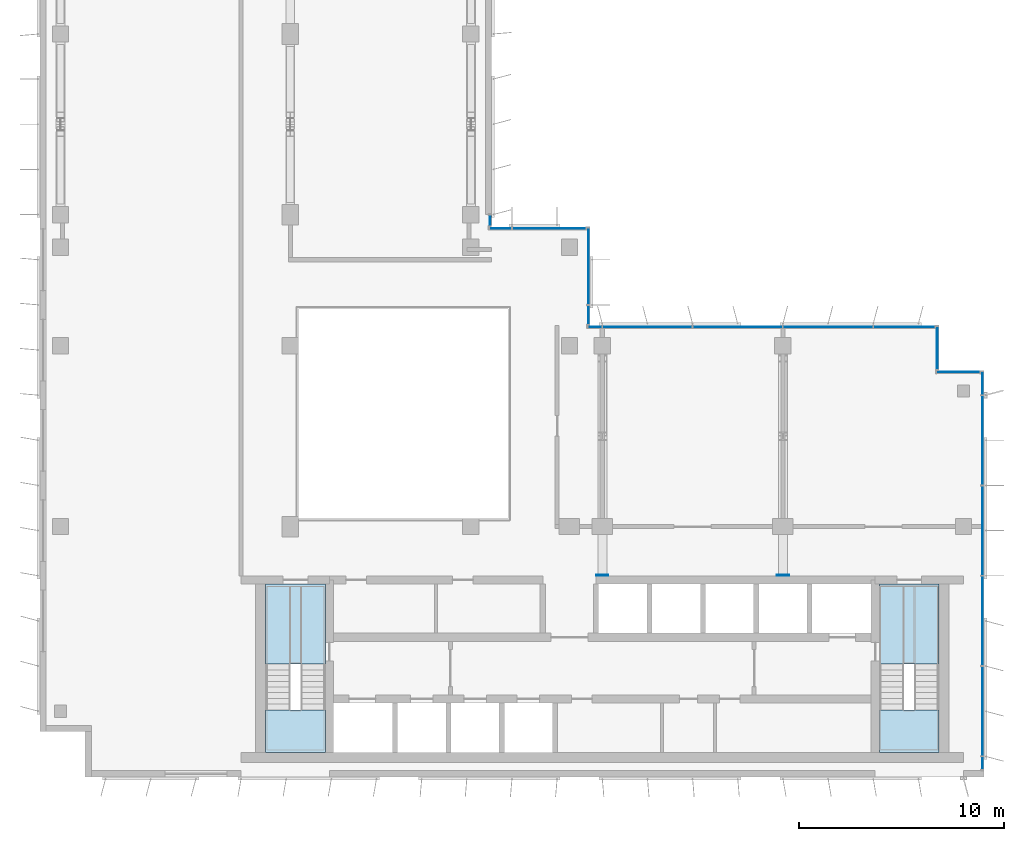
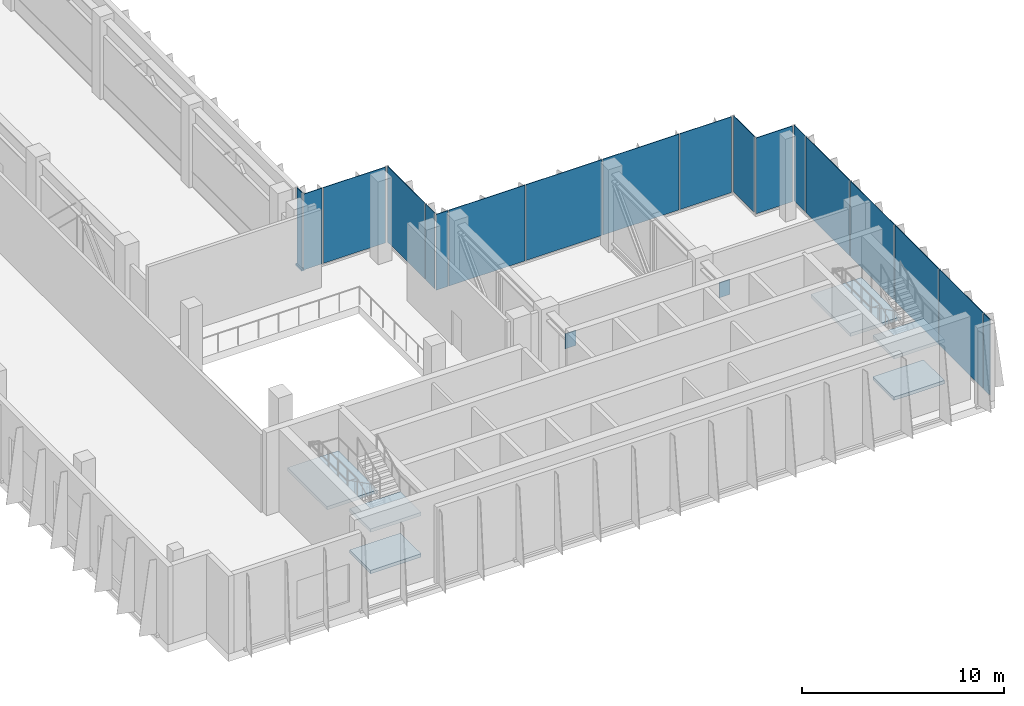
# One storey, part 6 of 13: 20 plates, 6 slabs, 1 member, 9 elements without a shape of their own.
"""IFC4 building model written with IfcOpenShell, lengths in metres."""

from ifc_helpers import new_model, si_unit, direction, frame, origin, origin_2d, place, context, subcontext, project, spatial, polyline, rectangle, outline, extrude, source, transform, mapped, material, layer, layer_set, material_profile, profile_set, type_object, element, aggregate, save


model = new_model("IFC4")

# Units and contexts
model_context = context("Model", 3, precision=1e-05, world=origin(), true_north=direction((0.0, 1.0)))
body_context = subcontext(model_context, "Body", "Model", "MODEL_VIEW")
ifc_project = project(units=[si_unit("LENGTHUNIT", "METRE"), si_unit("AREAUNIT", "SQUARE_METRE"), si_unit("VOLUMEUNIT", "CUBIC_METRE"), si_unit("PLANEANGLEUNIT", "RADIAN"), si_unit("MASSUNIT", "GRAM", prefix="KILO")], contexts=[model_context])

# Site, building, storey
site_placement = place(None, origin())
site = spatial("IfcSite", under=ifc_project, at=site_placement, CompositionType="ELEMENT")
building_placement = place(site_placement, origin())
building = spatial("IfcBuilding", under=site, at=building_placement, Name="Kemantara Hotel Tower", CompositionType="ELEMENT")
storey_placement = place(building_placement, frame((0.0, 0.0, 256.10009765625)))
storey = spatial("IfcBuildingStorey", under=building, at=storey_placement, Name="L64", CompositionType="ELEMENT", Elevation=256.10009765625)

# Curtain wall, member
ifc_material_1 = material(Name="Low-E tinted double insulated glass 36 mm", Category="glass")
curtain_wall_type = type_object("IfcCurtainWallType", Name="TOWER CURTAIN WALL, FRONT FACES", PredefinedType="USERDEFINED", material=ifc_material_1)
curtain_wall_1_placement = place(storey_placement, origin())
curtain_wall_1 = element("IfcCurtainWall", 1, at=curtain_wall_1_placement, inside=storey, type_object=curtain_wall_type, Name="CW4 L64 T4-R15-1", ObjectType="TOWER CURTAIN WALL, FRONT FACES", PredefinedType="USERDEFINED")
ifc_material_2 = material(Name="Aluminium 6063-T6 bronze anodised", Category="aluminium")
ifc_material_profile = material_profile(ifc_material_2, rectangle(XDim=0.14990234375, YDim=0.1201171875, at=origin_2d()), Name="TOWER CURTAIN WALL, FRONT FACES TRANSOM")
ifc_profile_set = profile_set([ifc_material_profile], Name="Aluminium 6063-T6 bronze anodised")
member_type = type_object("IfcMemberType", Name="TOWER CURTAIN WALL, FRONT FACES TRANSOM", PredefinedType="USERDEFINED", material=ifc_profile_set)
member_placement = place(storey_placement, frame((21.925048828125, 26.800048828125, 0.059814453125), z_axis=(0.0, 1.0, 0.0), x_axis=(-1.0, 0.0, 0.0)))
member = element("IfcMember", 2, at=member_placement, type_object=member_type, Name="CW4 sill transom T4-R15-1", ObjectType="TRANSOM", PredefinedType="USERDEFINED", context=body_context, shape_type="SweptSolid", body=[
    extrude(rectangle(XDim=0.14990234375, YDim=0.1201171875, at=origin_2d()), origin(), (0.0, 0.0, 1.0), 0.599853515625),
])

# Stair, slabs
ifc_material_3 = material(Name="Concrete fc 40 MPa", Category="concrete")
stair_type = type_object("IfcStairType", Name="Stair 1200 wide 36 risers of 139 x 280 mm", PredefinedType="HALF_TURN_STAIR", material=ifc_material_3)
stair_1_placement = place(storey_placement, origin())
stair_1 = element("IfcStair", 3, at=stair_1_placement, inside=storey, type_object=stair_type, Name="L64 Exit stair ST1", PredefinedType="HALF_TURN_STAIR")
ifc_layer_1 = layer(ifc_material_3, 0.199951171875)
ifc_layer_set_1 = layer_set([ifc_layer_1], Name="Concrete fc 40 MPa")
slab_type = type_object("IfcSlabType", Name="Stair landing 200 mm", PredefinedType="LANDING", material=ifc_layer_set_1)
slab_1_placement = place(storey_placement, frame((0.0, 0.0, 1.0498046875)))
slab_1 = element("IfcSlab", 4, at=slab_1_placement, type_object=slab_type, Name="ST1 landing 1", PredefinedType="LANDING", context=body_context, shape_type="SweptSolid", body=[
    extrude(outline(polyline([(11.0, 3.260009765625), (11.0, 1.199951171875), (13.89990234375, 1.199951171875), (13.89990234375, 3.260009765625), (11.0, 3.260009765625)])), origin(), (0.0, 0.0, 1.0), 0.2001953125),
])
slab_2_placement = place(storey_placement, frame((0.0, 0.0, 2.2998046875)))
slab_2 = element("IfcSlab", 5, at=slab_2_placement, type_object=slab_type, Name="ST1 landing 2", PredefinedType="LANDING", context=body_context, shape_type="SweptSolid", body=[
    extrude(outline(polyline([(11.0, 9.39990234375), (11.0, 5.5), (13.89990234375, 5.5), (13.89990234375, 9.39990234375), (11.0, 9.39990234375)])), origin(), (0.0, 0.0, 1.0), 0.2001953125),
])
slab_3_placement = place(storey_placement, frame((0.0, 0.0, 3.5498046875)))
slab_3 = element("IfcSlab", 6, at=slab_3_placement, type_object=slab_type, Name="ST1 landing 3", PredefinedType="LANDING", context=body_context, shape_type="SweptSolid", body=[
    extrude(outline(polyline([(11.0, 3.260009765625), (11.0, 1.199951171875), (13.89990234375, 1.199951171875), (13.89990234375, 3.260009765625), (11.0, 3.260009765625)])), origin(), (0.0, 0.0, 1.0), 0.2001953125),
])
aggregate(stair_1, [slab_1, slab_2, slab_3])

stair_2_placement = place(storey_placement, origin())
stair_2 = element("IfcStair", 7, at=stair_2_placement, inside=storey, type_object=stair_type, Name="L64 Exit stair ST2", PredefinedType="HALF_TURN_STAIR")
slab_4_placement = place(storey_placement, frame((0.0, 0.0, 1.0498046875)))
slab_4 = element("IfcSlab", 8, at=slab_4_placement, type_object=slab_type, Name="ST2 landing 1", PredefinedType="LANDING", context=body_context, shape_type="SweptSolid", body=[
    extrude(outline(polyline([(40.89990234375, 3.260009765625), (40.89990234375, 1.199951171875), (43.800048828125, 1.199951171875), (43.800048828125, 3.260009765625), (40.89990234375, 3.260009765625)])), origin(), (0.0, 0.0, 1.0), 0.2001953125),
])
slab_5_placement = place(storey_placement, frame((0.0, 0.0, 2.2998046875)))
slab_5 = element("IfcSlab", 9, at=slab_5_placement, type_object=slab_type, Name="ST2 landing 2", PredefinedType="LANDING", context=body_context, shape_type="SweptSolid", body=[
    extrude(outline(polyline([(40.89990234375, 9.39990234375), (40.89990234375, 5.5), (43.800048828125, 5.5), (43.800048828125, 9.39990234375), (40.89990234375, 9.39990234375)])), origin(), (0.0, 0.0, 1.0), 0.2001953125),
])
slab_6_placement = place(storey_placement, frame((0.0, 0.0, 3.5498046875)))
slab_6 = element("IfcSlab", 10, at=slab_6_placement, type_object=slab_type, Name="ST2 landing 3", PredefinedType="LANDING", context=body_context, shape_type="SweptSolid", body=[
    extrude(outline(polyline([(40.89990234375, 3.260009765625), (40.89990234375, 1.199951171875), (43.800048828125, 1.199951171875), (43.800048828125, 3.260009765625), (40.89990234375, 3.260009765625)])), origin(), (0.0, 0.0, 1.0), 0.2001953125),
])
aggregate(stair_2, [slab_4, slab_5, slab_6])

# Plates
ifc_material_4 = material(Name="Steel ASTM A572 Grade 50", Category="steel")
ifc_layer_2 = layer(ifc_material_4, 0.0400390625)
ifc_layer_set_2 = layer_set([ifc_layer_2], Name="Steel ASTM A572 Grade 50")
plate_type_1 = type_object("IfcPlateType", Name="STEEL PLATE 40", PredefinedType="SHEET", material=ifc_layer_set_2)
shared_shape_1 = source(origin(), body_context, "Body", "SweptSolid", [
    extrude(rectangle(XDim=0.60009765625, YDim=0.0400390625, at=origin_2d()), origin(), (0.0, 0.0, 1.0), 0.9130859375),
])
for number, where, z_axis, x_axis, name in (
    (11, (27.39990234375, 9.820068359375, 3.786865234375), (0.0, 0.0, 1.0), (1.0, 0.0, 0.0), "Cast-in plate CP-OR64-1 40"),
    (12, (36.199951171875, 9.820068359375, 3.786865234375), (0.0, 0.0, 1.0), (1.0, 0.0, 0.0), "Cast-in plate CP-OR64-2 40"),
):
    element("IfcPlate", number, at=place(storey_placement, frame(where, z_axis=z_axis, x_axis=x_axis)), inside=storey, type_object=plate_type_1, Name=name, PredefinedType="SHEET", context=body_context, shape_type="MappedRepresentation", body=[
        mapped(shared_shape_1, transform((0.0, 0.0, 0.0))),
    ])

# Curtain wall, plates
curtain_wall_2_placement = place(storey_placement, origin())
curtain_wall_2 = element("IfcCurtainWall", 13, at=curtain_wall_2_placement, inside=storey, type_object=curtain_wall_type, Name="CW4 L64 T4-R09-1", ObjectType="TOWER CURTAIN WALL, FRONT FACES", PredefinedType="USERDEFINED")
ifc_layer_3 = layer(ifc_material_1, 0.035888671875)
ifc_layer_set_3 = layer_set([ifc_layer_3], Name="Low-E tinted double insulated glass 36 mm")
plate_type_2 = type_object("IfcPlateType", Name="TOWER CURTAIN WALL, FRONT FACES PANEL", PredefinedType="CURTAIN_PANEL", material=ifc_layer_set_3)
shared_shape_2 = source(origin(), body_context, "Body", "SweptSolid", [
    extrude(rectangle(XDim=4.340087890625, YDim=0.035888671875, at=origin_2d()), origin(), (0.0, 0.0, 1.0), 4.580078125),
])
plate_1_placement = place(storey_placement, frame((45.925048828125, 3.199951171875, 0.119873046875), z_axis=(0.0, 0.0, 1.0), x_axis=(0.0, 1.0, 0.0)))
plate_1 = element("IfcPlate", 14, at=plate_1_placement, type_object=plate_type_2, Name="CW4 glass panel T4-R09-1.2", PredefinedType="CURTAIN_PANEL", context=body_context, shape_type="MappedRepresentation", body=[
    mapped(shared_shape_2, transform((0.0, 0.0, 0.0))),
])
plate_2_placement = place(storey_placement, frame((45.925048828125, 7.60009765625, 0.119873046875), z_axis=(0.0, 0.0, 1.0), x_axis=(0.0, 1.0, 0.0)))
plate_2 = element("IfcPlate", 15, at=plate_2_placement, type_object=plate_type_2, Name="CW4 glass panel T4-R09-1.3", PredefinedType="CURTAIN_PANEL", context=body_context, shape_type="MappedRepresentation", body=[
    mapped(shared_shape_2, transform((0.0, 0.0, 0.0))),
])
plate_3_placement = place(storey_placement, frame((45.925048828125, 12.0, 0.119873046875), z_axis=(0.0, 0.0, 1.0), x_axis=(0.0, 1.0, 0.0)))
plate_3 = element("IfcPlate", 16, at=plate_3_placement, type_object=plate_type_2, Name="CW4 glass panel T4-R09-1.4", PredefinedType="CURTAIN_PANEL", context=body_context, shape_type="MappedRepresentation", body=[
    mapped(shared_shape_2, transform((0.0, 0.0, 0.0))),
])
plate_4_placement = place(storey_placement, frame((45.925048828125, 16.39990234375, 0.119873046875), z_axis=(0.0, 0.0, 1.0), x_axis=(0.0, 1.0, 0.0)))
plate_4 = element("IfcPlate", 17, at=plate_4_placement, type_object=plate_type_2, Name="CW4 glass panel T4-R09-1.5", PredefinedType="CURTAIN_PANEL", context=body_context, shape_type="MappedRepresentation", body=[
    mapped(shared_shape_2, transform((0.0, 0.0, 0.0))),
])

curtain_wall_3_placement = place(storey_placement, origin())
curtain_wall_3 = element("IfcCurtainWall", 18, at=curtain_wall_3_placement, inside=storey, type_object=curtain_wall_type, Name="CW4 L64 T4-R12-1", ObjectType="TOWER CURTAIN WALL, FRONT FACES", PredefinedType="USERDEFINED")
plate_5_placement = place(storey_placement, frame((38.39990234375, 21.925048828125, 0.119873046875), z_axis=(0.0, 0.0, 1.0), x_axis=(-1.0, 0.0, 0.0)))
plate_5 = element("IfcPlate", 19, at=plate_5_placement, type_object=plate_type_2, Name="CW4 glass panel T4-R12-1.2", PredefinedType="CURTAIN_PANEL", context=body_context, shape_type="MappedRepresentation", body=[
    mapped(shared_shape_2, transform((0.0, 0.0, 0.0))),
])
plate_6_placement = place(storey_placement, frame((34.0, 21.925048828125, 0.119873046875), z_axis=(0.0, 0.0, 1.0), x_axis=(-1.0, 0.0, 0.0)))
plate_6 = element("IfcPlate", 20, at=plate_6_placement, type_object=plate_type_2, Name="CW4 glass panel T4-R12-1.3", PredefinedType="CURTAIN_PANEL", context=body_context, shape_type="MappedRepresentation", body=[
    mapped(shared_shape_2, transform((0.0, 0.0, 0.0))),
])
plate_7_placement = place(storey_placement, frame((29.60009765625, 21.925048828125, 0.119873046875), z_axis=(0.0, 0.0, 1.0), x_axis=(-1.0, 0.0, 0.0)))
plate_7 = element("IfcPlate", 21, at=plate_7_placement, type_object=plate_type_2, Name="CW4 glass panel T4-R12-1.4", PredefinedType="CURTAIN_PANEL", context=body_context, shape_type="MappedRepresentation", body=[
    mapped(shared_shape_2, transform((0.0, 0.0, 0.0))),
])
shared_shape_3 = source(origin(), body_context, "Body", "SweptSolid", [
    extrude(rectangle(XDim=2.9599609375, YDim=0.035888671875, at=origin_2d()), origin(), (0.0, 0.0, 1.0), 4.580078125),
])
plate_8_placement = place(storey_placement, frame((42.110107421875, 21.925048828125, 0.119873046875), z_axis=(0.0, 0.0, 1.0), x_axis=(-1.0, 0.0, 0.0)))
plate_8 = element("IfcPlate", 22, at=plate_8_placement, type_object=plate_type_2, Name="CW4 glass panel T4-R12-1.1", PredefinedType="CURTAIN_PANEL", context=body_context, shape_type="MappedRepresentation", body=[
    mapped(shared_shape_3, transform((0.0, 0.0, 0.0))),
])
shared_shape_4 = source(origin(), body_context, "Body", "SweptSolid", [
    extrude(rectangle(XDim=0.659912109375, YDim=0.035888671875, at=origin_2d()), origin(), (0.0, 0.0, 1.0), 4.580078125),
])
plate_9_placement = place(storey_placement, frame((27.0400390625, 21.925048828125, 0.119873046875), z_axis=(0.0, 0.0, 1.0), x_axis=(-1.0, 0.0, 0.0)))
plate_9 = element("IfcPlate", 23, at=plate_9_placement, type_object=plate_type_2, Name="CW4 glass panel T4-R12-1.5", PredefinedType="CURTAIN_PANEL", context=body_context, shape_type="MappedRepresentation", body=[
    mapped(shared_shape_4, transform((0.0, 0.0, 0.0))),
])
aggregate(curtain_wall_3, [plate_8, plate_5, plate_6, plate_7, plate_9])

# Plate
shared_shape_5 = source(origin(), body_context, "Body", "SweptSolid", [
    extrude(rectangle(XDim=0.510009765625, YDim=0.035888671875, at=origin_2d()), origin(), (0.0, 0.0, 1.0), 4.580078125),
])
plate_10_placement = place(storey_placement, frame((21.925048828125, 27.114990234375, 0.119873046875), z_axis=(0.0, 0.0, 1.0), x_axis=(0.0, 1.0, 0.0)))
plate_10 = element("IfcPlate", 24, at=plate_10_placement, type_object=plate_type_2, Name="CW4 glass panel T4-R15-1.1", PredefinedType="CURTAIN_PANEL", context=body_context, shape_type="MappedRepresentation", body=[
    mapped(shared_shape_5, transform((0.0, 0.0, 0.0))),
])

aggregate(curtain_wall_1, [member, plate_10])

# Curtain wall, plate
curtain_wall_4_placement = place(storey_placement, origin())
curtain_wall_4 = element("IfcCurtainWall", 25, at=curtain_wall_4_placement, inside=storey, type_object=curtain_wall_type, Name="CW4 L64 T4-R10-1", ObjectType="TOWER CURTAIN WALL, FRONT FACES", PredefinedType="USERDEFINED")
shared_shape_6 = source(origin(), body_context, "Body", "SweptSolid", [
    extrude(rectangle(XDim=2.080078125, YDim=0.035888671875, at=origin_2d()), origin(), (0.0, 0.0, 1.0), 4.580078125),
])
plate_11_placement = place(storey_placement, frame((44.75, 19.72509765625, 0.119873046875), z_axis=(0.0, 0.0, 1.0), x_axis=(-1.0, 0.0, 0.0)))
plate_11 = element("IfcPlate", 26, at=plate_11_placement, type_object=plate_type_2, Name="CW4 glass panel T4-R10-1.1", PredefinedType="CURTAIN_PANEL", context=body_context, shape_type="MappedRepresentation", body=[
    mapped(shared_shape_6, transform((0.0, 0.0, 0.0))),
])
aggregate(curtain_wall_4, [plate_11])

curtain_wall_5_placement = place(storey_placement, origin())
curtain_wall_5 = element("IfcCurtainWall", 27, at=curtain_wall_5_placement, inside=storey, type_object=curtain_wall_type, Name="CW4 L64 T4-R11-1", ObjectType="TOWER CURTAIN WALL, FRONT FACES", PredefinedType="USERDEFINED")
plate_12_placement = place(storey_placement, frame((43.72509765625, 20.89990234375, 0.119873046875), z_axis=(0.0, 0.0, 1.0), x_axis=(0.0, 1.0, 0.0)))
plate_12 = element("IfcPlate", 28, at=plate_12_placement, type_object=plate_type_2, Name="CW4 glass panel T4-R11-1.1", PredefinedType="CURTAIN_PANEL", context=body_context, shape_type="MappedRepresentation", body=[
    mapped(shared_shape_6, transform((0.0, 0.0, 0.0))),
])
aggregate(curtain_wall_5, [plate_12])

# Plate
shared_shape_7 = source(origin(), body_context, "Body", "SweptSolid", [
    extrude(rectangle(XDim=1.110107421875, YDim=0.035888671875, at=origin_2d()), origin(), (0.0, 0.0, 1.0), 4.580078125),
])
plate_13_placement = place(storey_placement, frame((45.925048828125, 19.18505859375, 0.119873046875), z_axis=(0.0, 0.0, 1.0), x_axis=(0.0, 1.0, 0.0)))
plate_13 = element("IfcPlate", 29, at=plate_13_placement, type_object=plate_type_2, Name="CW4 glass panel T4-R09-1.6", PredefinedType="CURTAIN_PANEL", context=body_context, shape_type="MappedRepresentation", body=[
    mapped(shared_shape_7, transform((0.0, 0.0, 0.0))),
])

# Curtain wall, plate
curtain_wall_6_placement = place(storey_placement, origin())
curtain_wall_6 = element("IfcCurtainWall", 30, at=curtain_wall_6_placement, inside=storey, type_object=curtain_wall_type, Name="CW4 L64 T4-R13-1", ObjectType="TOWER CURTAIN WALL, FRONT FACES", PredefinedType="USERDEFINED")
shared_shape_8 = source(origin(), body_context, "Body", "SweptSolid", [
    extrude(rectangle(XDim=0.909912109375, YDim=0.035888671875, at=origin_2d()), origin(), (0.0, 0.0, 1.0), 4.580078125),
])
plate_14_placement = place(storey_placement, frame((26.72509765625, 22.514892578125, 0.119873046875), z_axis=(0.0, 0.0, 1.0), x_axis=(0.0, 1.0, 0.0)))
plate_14 = element("IfcPlate", 31, at=plate_14_placement, type_object=plate_type_2, Name="CW4 glass panel T4-R13-1.1", PredefinedType="CURTAIN_PANEL", context=body_context, shape_type="MappedRepresentation", body=[
    mapped(shared_shape_8, transform((0.0, 0.0, 0.0))),
])

# Plate
shared_shape_9 = source(origin(), body_context, "Body", "SweptSolid", [
    extrude(rectangle(XDim=0.610107421875, YDim=0.035888671875, at=origin_2d()), origin(), (0.0, 0.0, 1.0), 4.580078125),
])
plate_15_placement = place(storey_placement, frame((45.925048828125, 0.6650390625, 0.119873046875), z_axis=(0.0, 0.0, 1.0), x_axis=(0.0, 1.0, 0.0)))
plate_15 = element("IfcPlate", 32, at=plate_15_placement, type_object=plate_type_2, Name="CW4 glass panel T4-R09-1.1", PredefinedType="CURTAIN_PANEL", context=body_context, shape_type="MappedRepresentation", body=[
    mapped(shared_shape_9, transform((0.0, 0.0, 0.0))),
])

aggregate(curtain_wall_2, [plate_15, plate_1, plate_2, plate_3, plate_4, plate_13])

shared_shape_10 = source(origin(), body_context, "Body", "SweptSolid", [
    extrude(rectangle(XDim=3.7099609375, YDim=0.035888671875, at=origin_2d()), origin(), (0.0, 0.0, 1.0), 4.580078125),
])
plate_16_placement = place(storey_placement, frame((26.72509765625, 24.885009765625, 0.119873046875), z_axis=(0.0, 0.0, 1.0), x_axis=(0.0, 1.0, 0.0)))
plate_16 = element("IfcPlate", 33, at=plate_16_placement, type_object=plate_type_2, Name="CW4 glass panel T4-R13-1.2", PredefinedType="CURTAIN_PANEL", context=body_context, shape_type="MappedRepresentation", body=[
    mapped(shared_shape_10, transform((0.0, 0.0, 0.0))),
])

aggregate(curtain_wall_6, [plate_14, plate_16])

# Curtain wall, plates
curtain_wall_7_placement = place(storey_placement, origin())
curtain_wall_7 = element("IfcCurtainWall", 34, at=curtain_wall_7_placement, inside=storey, type_object=curtain_wall_type, Name="CW4 L64 T4-R14-1", ObjectType="TOWER CURTAIN WALL, FRONT FACES", PredefinedType="USERDEFINED")
shared_shape_11 = source(origin(), body_context, "Body", "SweptSolid", [
    extrude(rectangle(XDim=3.56005859375, YDim=0.035888671875, at=origin_2d()), origin(), (0.0, 0.0, 1.0), 4.580078125),
])
plate_17_placement = place(storey_placement, frame((24.81005859375, 26.72509765625, 0.119873046875), z_axis=(0.0, 0.0, 1.0), x_axis=(-1.0, 0.0, 0.0)))
plate_17 = element("IfcPlate", 35, at=plate_17_placement, type_object=plate_type_2, Name="CW4 glass panel T4-R14-1.1", PredefinedType="CURTAIN_PANEL", context=body_context, shape_type="MappedRepresentation", body=[
    mapped(shared_shape_11, transform((0.0, 0.0, 0.0))),
])
shared_shape_12 = source(origin(), body_context, "Body", "SweptSolid", [
    extrude(rectangle(XDim=1.06005859375, YDim=0.035888671875, at=origin_2d()), origin(), (0.0, 0.0, 1.0), 4.580078125),
])
plate_18_placement = place(storey_placement, frame((22.43994140625, 26.72509765625, 0.119873046875), z_axis=(0.0, 0.0, 1.0), x_axis=(-1.0, 0.0, 0.0)))
plate_18 = element("IfcPlate", 36, at=plate_18_placement, type_object=plate_type_2, Name="CW4 glass panel T4-R14-1.2", PredefinedType="CURTAIN_PANEL", context=body_context, shape_type="MappedRepresentation", body=[
    mapped(shared_shape_12, transform((0.0, 0.0, 0.0))),
])
aggregate(curtain_wall_7, [plate_17, plate_18])

save(model, "model.ifc")
